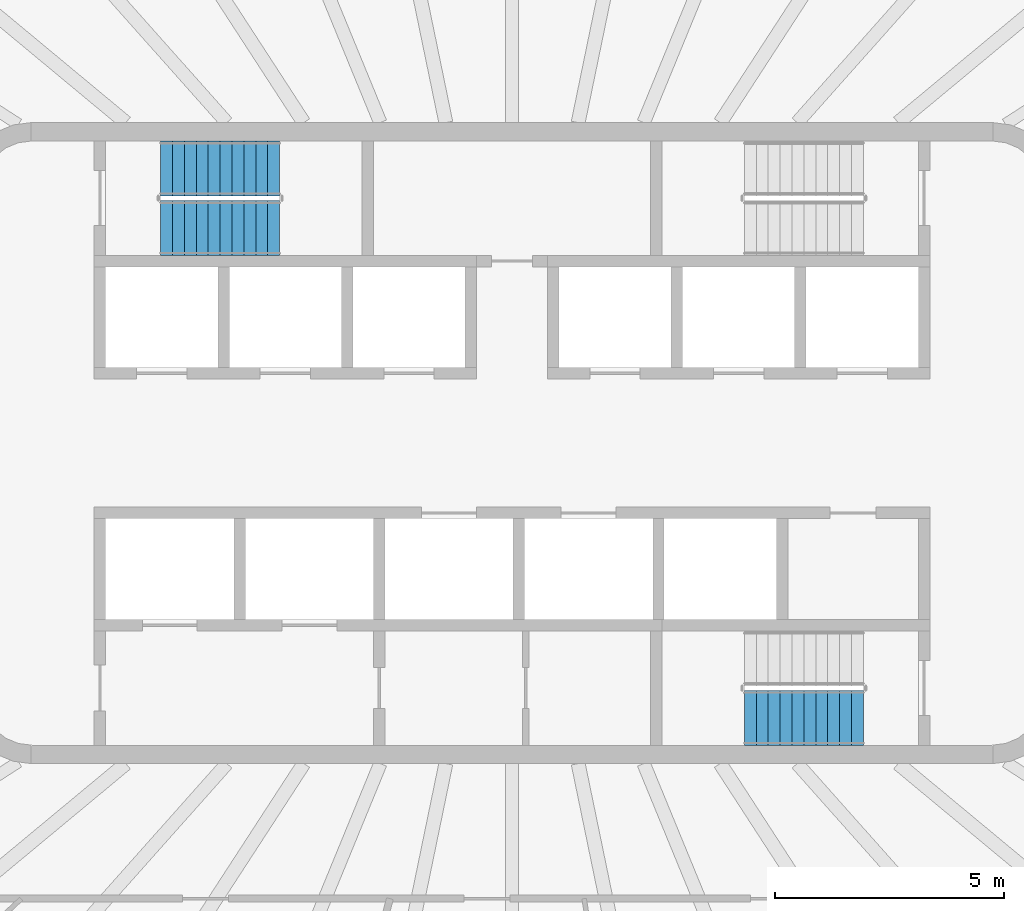
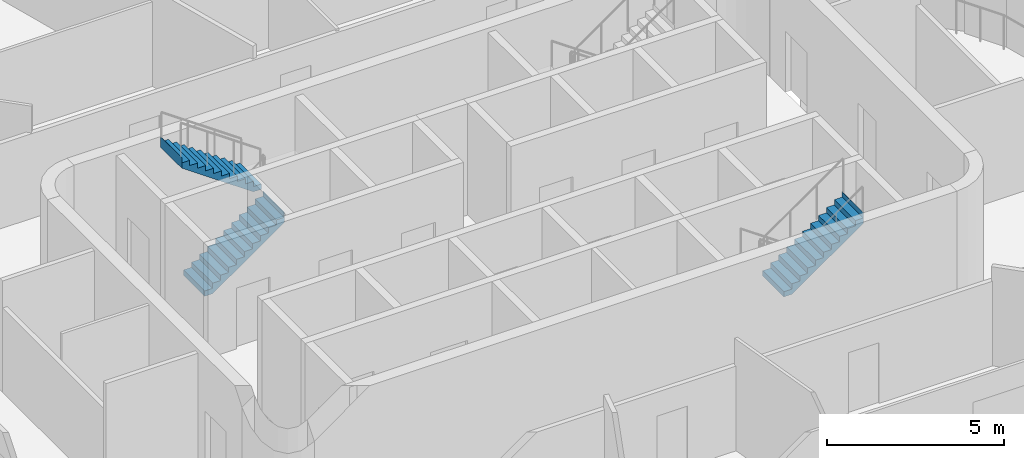
# One storey, part 12 of 19: 3 stair flights, 2 elements without a shape of their own.
"""IFC4 building model written with IfcOpenShell, lengths in metres."""

from ifc_helpers import new_model, si_unit, direction, frame, origin, place, context, subcontext, project, spatial, triangles, material, type_object, element, aggregate, save


model = new_model("IFC4")

# Units and contexts
model_context = context("Model", 3, precision=1e-05, world=origin(), true_north=direction((0.0, 1.0)))
body_context = subcontext(model_context, "Body", "Model", "MODEL_VIEW")
ifc_project = project(units=[si_unit("LENGTHUNIT", "METRE"), si_unit("AREAUNIT", "SQUARE_METRE"), si_unit("VOLUMEUNIT", "CUBIC_METRE"), si_unit("PLANEANGLEUNIT", "RADIAN"), si_unit("MASSUNIT", "GRAM", prefix="KILO")], contexts=[model_context])

# Site, building, storey
site_placement = place(None, origin())
site = spatial("IfcSite", under=ifc_project, at=site_placement, CompositionType="ELEMENT")
building_placement = place(site_placement, origin())
building = spatial("IfcBuilding", under=site, at=building_placement, Name="Sahrelin Media Tower", CompositionType="ELEMENT")
storey_placement = place(building_placement, frame((0.0, 0.0, 287.0)))
storey = spatial("IfcBuildingStorey", under=building, at=storey_placement, Name="L63", CompositionType="ELEMENT", Elevation=287.0)

# Stair, stair flights
ifc_material = material(Name="Concrete C40/50", Category="concrete")
stair_type = type_object("IfcStairType", Name="Exit stair 1200", PredefinedType="HALF_TURN_STAIR", material=ifc_material)
placement = place(storey_placement, origin())
stair_1 = element("IfcStair", 1, at=placement, inside=storey, type_object=stair_type, Name="L63 Exit stair ST1", PredefinedType="HALF_TURN_STAIR")
stair_flight_type = type_object("IfcStairFlightType", Name="Stair flight 1200", PredefinedType="STRAIGHT", material=ifc_material)
stair_flight_1_placement = place(storey_placement, frame((-7.675048828125, 4.699951171875, 0.0), z_axis=(0.0, 0.0, 1.0), x_axis=(1.0, 0.0, 0.0)))
stair_flight_1 = element("IfcStairFlight", 2, at=stair_flight_1_placement, type_object=stair_flight_type, Name="ST1 flight 1", NumberOfRisers=11, NumberOfTreads=10, PredefinedType="STRAIGHT", RiserHeight=0.181818182, TreadLength=0.26, context=body_context, shape_type="Tessellation", body=[
    triangles([(0.261474609375, 0.60009765625, 0.0), (0.261474609375, 0.300048828125, 0.0), (0.261474609375, 0.0, 0.0), (0.261474609375, -0.300048828125, 0.0), (0.261474609375, -0.60009765625, 0.0), (2.60009765625, 0.60009765625, 1.63525390625), (2.60009765625, 0.300048828125, 1.63525390625), (2.60009765625, 0.0, 1.63525390625), (2.60009765625, -0.300048828125, 1.63525390625), (2.60009765625, -0.60009765625, 1.63525390625), (2.60009765625, 0.60009765625, 2.0), (2.60009765625, 0.300048828125, 2.0), (2.60009765625, 0.0, 2.0), (2.60009765625, -0.300048828125, 2.0), (2.60009765625, -0.60009765625, 2.0), (2.597900390625, 0.60009765625, 2.0), (2.597900390625, 0.300048828125, 2.0), (2.597900390625, 0.0, 2.0), (2.597900390625, -0.300048828125, 2.0), (2.597900390625, -0.60009765625, 2.0), (2.597900390625, 0.60009765625, 1.818115234375), (2.597900390625, 0.300048828125, 1.818115234375), (2.597900390625, 0.0, 1.818115234375), (2.597900390625, -0.300048828125, 1.818115234375), (2.597900390625, -0.60009765625, 1.818115234375), (2.340087890625, 0.60009765625, 1.818115234375), (2.340087890625, 0.300048828125, 1.818115234375), (2.340087890625, 0.0, 1.818115234375), (2.340087890625, -0.300048828125, 1.818115234375), (2.340087890625, -0.60009765625, 1.818115234375), (2.340087890625, 0.60009765625, 1.636474609375), (2.340087890625, 0.300048828125, 1.636474609375), (2.340087890625, 0.0, 1.636474609375), (2.340087890625, -0.300048828125, 1.636474609375), (2.340087890625, -0.60009765625, 1.636474609375), (2.080078125, 0.60009765625, 1.636474609375), (2.080078125, 0.300048828125, 1.636474609375), (2.080078125, 0.0, 1.636474609375), (2.080078125, -0.300048828125, 1.636474609375), (2.080078125, -0.60009765625, 1.636474609375), (2.080078125, 0.60009765625, 1.45458984375), (2.080078125, 0.300048828125, 1.45458984375), (2.080078125, 0.0, 1.45458984375), (2.080078125, -0.300048828125, 1.45458984375), (2.080078125, -0.60009765625, 1.45458984375), (1.820068359375, 0.60009765625, 1.45458984375), (1.820068359375, 0.300048828125, 1.45458984375), (1.820068359375, 0.0, 1.45458984375), (1.820068359375, -0.300048828125, 1.45458984375), (1.820068359375, -0.60009765625, 1.45458984375), (1.820068359375, 0.60009765625, 1.272705078125), (1.820068359375, 0.300048828125, 1.272705078125), (1.820068359375, 0.0, 1.272705078125), (1.820068359375, -0.300048828125, 1.272705078125), (1.820068359375, -0.60009765625, 1.272705078125), (1.56005859375, 0.60009765625, 1.272705078125), (1.56005859375, 0.300048828125, 1.272705078125), (1.56005859375, 0.0, 1.272705078125), (1.56005859375, -0.300048828125, 1.272705078125), (1.56005859375, -0.60009765625, 1.272705078125), (1.56005859375, 0.60009765625, 1.0908203125), (1.56005859375, 0.300048828125, 1.0908203125), (1.56005859375, 0.0, 1.0908203125), (1.56005859375, -0.300048828125, 1.0908203125), (1.56005859375, -0.60009765625, 1.0908203125), (1.300048828125, 0.60009765625, 1.0908203125), (1.300048828125, 0.300048828125, 1.0908203125), (1.300048828125, 0.0, 1.0908203125), (1.300048828125, -0.300048828125, 1.0908203125), (1.300048828125, -0.60009765625, 1.0908203125), (1.300048828125, 0.60009765625, 0.9091796875), (1.300048828125, 0.300048828125, 0.9091796875), (1.300048828125, 0.0, 0.9091796875), (1.300048828125, -0.300048828125, 0.9091796875), (1.300048828125, -0.60009765625, 0.9091796875), (1.0400390625, 0.60009765625, 0.9091796875), (1.0400390625, 0.300048828125, 0.9091796875), (1.0400390625, 0.0, 0.9091796875), (1.0400390625, -0.300048828125, 0.9091796875), (1.0400390625, -0.60009765625, 0.9091796875), (1.0400390625, 0.60009765625, 0.727294921875), (1.0400390625, 0.300048828125, 0.727294921875), (1.0400390625, 0.0, 0.727294921875), (1.0400390625, -0.300048828125, 0.727294921875), (1.0400390625, -0.60009765625, 0.727294921875), (0.780029296875, 0.60009765625, 0.727294921875), (0.780029296875, 0.300048828125, 0.727294921875), (0.780029296875, 0.0, 0.727294921875), (0.780029296875, -0.300048828125, 0.727294921875), (0.780029296875, -0.60009765625, 0.727294921875), (0.780029296875, 0.60009765625, 0.54541015625), (0.780029296875, 0.300048828125, 0.54541015625), (0.780029296875, 0.0, 0.54541015625), (0.780029296875, -0.300048828125, 0.54541015625), (0.780029296875, -0.60009765625, 0.54541015625), (0.52001953125, 0.60009765625, 0.54541015625), (0.52001953125, 0.300048828125, 0.54541015625), (0.52001953125, 0.0, 0.54541015625), (0.52001953125, -0.300048828125, 0.54541015625), (0.52001953125, -0.60009765625, 0.54541015625), (0.52001953125, 0.60009765625, 0.363525390625), (0.52001953125, 0.300048828125, 0.363525390625), (0.52001953125, 0.0, 0.363525390625), (0.52001953125, -0.300048828125, 0.363525390625), (0.52001953125, -0.60009765625, 0.363525390625), (0.260009765625, 0.60009765625, 0.363525390625), (0.260009765625, 0.300048828125, 0.363525390625), (0.260009765625, 0.0, 0.363525390625), (0.260009765625, -0.300048828125, 0.363525390625), (0.260009765625, -0.60009765625, 0.363525390625), (0.260009765625, 0.60009765625, 0.181884765625), (0.260009765625, 0.300048828125, 0.181884765625), (0.260009765625, 0.0, 0.181884765625), (0.260009765625, -0.300048828125, 0.181884765625), (0.260009765625, -0.60009765625, 0.181884765625), (0.0, 0.60009765625, 0.181884765625), (0.0, 0.300048828125, 0.181884765625), (0.0, 0.0, 0.181884765625), (0.0, -0.300048828125, 0.181884765625), (0.0, -0.60009765625, 0.181884765625), (0.0, 0.60009765625, 0.0), (0.0, 0.300048828125, 0.0), (0.0, 0.0, 0.0), (0.0, -0.300048828125, 0.0), (0.0, -0.60009765625, 0.0)], [[1, 6, 7], [1, 7, 2], [2, 7, 8], [2, 8, 3], [3, 8, 9], [3, 9, 4], [4, 9, 10], [4, 10, 5], [6, 11, 12], [6, 12, 7], [7, 12, 13], [7, 13, 8], [8, 13, 14], [8, 14, 9], [9, 14, 15], [9, 15, 10], [11, 16, 17], [11, 17, 12], [12, 17, 18], [12, 18, 13], [13, 18, 19], [13, 19, 14], [14, 19, 20], [14, 20, 15], [16, 21, 22], [16, 22, 17], [17, 22, 23], [17, 23, 18], [18, 23, 24], [18, 24, 19], [19, 24, 25], [19, 25, 20], [21, 26, 27], [21, 27, 22], [22, 27, 28], [22, 28, 23], [23, 28, 29], [23, 29, 24], [24, 29, 30], [24, 30, 25], [26, 31, 32], [26, 32, 27], [27, 32, 33], [27, 33, 28], [28, 33, 34], [28, 34, 29], [29, 34, 35], [29, 35, 30], [31, 36, 37], [31, 37, 32], [32, 37, 38], [32, 38, 33], [33, 38, 39], [33, 39, 34], [34, 39, 40], [34, 40, 35], [36, 41, 42], [36, 42, 37], [37, 42, 43], [37, 43, 38], [38, 43, 44], [38, 44, 39], [39, 44, 45], [39, 45, 40], [41, 46, 47], [41, 47, 42], [42, 47, 48], [42, 48, 43], [43, 48, 49], [43, 49, 44], [44, 49, 50], [44, 50, 45], [46, 51, 52], [46, 52, 47], [47, 52, 53], [47, 53, 48], [48, 53, 54], [48, 54, 49], [49, 54, 55], [49, 55, 50], [51, 56, 57], [51, 57, 52], [52, 57, 58], [52, 58, 53], [53, 58, 59], [53, 59, 54], [54, 59, 60], [54, 60, 55], [56, 61, 62], [56, 62, 57], [57, 62, 63], [57, 63, 58], [58, 63, 64], [58, 64, 59], [59, 64, 65], [59, 65, 60], [61, 66, 67], [61, 67, 62], [62, 67, 68], [62, 68, 63], [63, 68, 69], [63, 69, 64], [64, 69, 70], [64, 70, 65], [66, 71, 72], [66, 72, 67], [67, 72, 73], [67, 73, 68], [68, 73, 74], [68, 74, 69], [69, 74, 75], [69, 75, 70], [71, 76, 77], [71, 77, 72], [72, 77, 78], [72, 78, 73], [73, 78, 79], [73, 79, 74], [74, 79, 80], [74, 80, 75], [76, 81, 82], [76, 82, 77], [77, 82, 83], [77, 83, 78], [78, 83, 84], [78, 84, 79], [79, 84, 85], [79, 85, 80], [81, 86, 87], [81, 87, 82], [82, 87, 88], [82, 88, 83], [83, 88, 89], [83, 89, 84], [84, 89, 90], [84, 90, 85], [86, 91, 92], [86, 92, 87], [87, 92, 93], [87, 93, 88], [88, 93, 94], [88, 94, 89], [89, 94, 95], [89, 95, 90], [91, 96, 97], [91, 97, 92], [92, 97, 98], [92, 98, 93], [93, 98, 99], [93, 99, 94], [94, 99, 100], [94, 100, 95], [96, 101, 102], [96, 102, 97], [97, 102, 103], [97, 103, 98], [98, 103, 104], [98, 104, 99], [99, 104, 105], [99, 105, 100], [101, 106, 107], [101, 107, 102], [102, 107, 108], [102, 108, 103], [103, 108, 109], [103, 109, 104], [104, 109, 110], [104, 110, 105], [106, 111, 112], [106, 112, 107], [107, 112, 113], [107, 113, 108], [108, 113, 114], [108, 114, 109], [109, 114, 115], [109, 115, 110], [111, 116, 117], [111, 117, 112], [112, 117, 118], [112, 118, 113], [113, 118, 119], [113, 119, 114], [114, 119, 120], [114, 120, 115], [116, 121, 122], [116, 122, 117], [117, 122, 123], [117, 123, 118], [118, 123, 124], [118, 124, 119], [119, 124, 125], [119, 125, 120], [121, 1, 2], [121, 2, 122], [122, 2, 3], [122, 3, 123], [123, 3, 4], [123, 4, 124], [124, 4, 5], [124, 5, 125], [115, 120, 125], [111, 121, 116], [115, 105, 110], [111, 106, 101], [105, 95, 100], [101, 96, 91], [95, 85, 90], [91, 86, 81], [85, 75, 80], [81, 76, 71], [75, 65, 70], [71, 66, 61], [65, 55, 60], [61, 56, 51], [55, 45, 50], [51, 46, 41], [45, 35, 40], [41, 36, 31], [35, 25, 30], [31, 26, 21], [25, 15, 20], [21, 16, 11], [125, 5, 115], [121, 111, 1], [25, 10, 15], [21, 11, 6], [105, 115, 5], [101, 1, 111], [35, 10, 25], [31, 21, 6], [95, 105, 5], [91, 1, 101], [45, 10, 35], [41, 31, 6], [85, 95, 5], [81, 1, 91], [55, 10, 45], [51, 41, 6], [75, 85, 5], [71, 1, 81], [65, 10, 55], [61, 51, 6], [5, 10, 75], [1, 71, 6], [75, 10, 65], [71, 61, 6]], closed=True),
])
stair_flight_2_placement = place(storey_placement, frame((-5.074951171875, 6.0, 2.0), z_axis=(0.0, 0.0, 1.0), x_axis=(-1.0, 0.0, 0.0)))
stair_flight_2 = element("IfcStairFlight", 3, at=stair_flight_2_placement, type_object=stair_flight_type, Name="ST1 flight 2", NumberOfRisers=11, NumberOfTreads=10, PredefinedType="STRAIGHT", RiserHeight=0.181818182, TreadLength=0.26, context=body_context, shape_type="Tessellation", body=[
    triangles([(0.261474609375, 0.60009765625, 0.0), (0.261474609375, 0.300048828125, 0.0), (0.261474609375, 0.0, 0.0), (0.261474609375, -0.300048828125, 0.0), (0.261474609375, -0.60009765625, 0.0), (2.60009765625, 0.60009765625, 1.63525390625), (2.60009765625, 0.300048828125, 1.63525390625), (2.60009765625, 0.0, 1.63525390625), (2.60009765625, -0.300048828125, 1.63525390625), (2.60009765625, -0.60009765625, 1.63525390625), (2.60009765625, 0.60009765625, 2.0), (2.60009765625, 0.300048828125, 2.0), (2.60009765625, 0.0, 2.0), (2.60009765625, -0.300048828125, 2.0), (2.60009765625, -0.60009765625, 2.0), (2.597900390625, 0.60009765625, 2.0), (2.597900390625, 0.300048828125, 2.0), (2.597900390625, 0.0, 2.0), (2.597900390625, -0.300048828125, 2.0), (2.597900390625, -0.60009765625, 2.0), (2.597900390625, 0.60009765625, 1.818115234375), (2.597900390625, 0.300048828125, 1.818115234375), (2.597900390625, 0.0, 1.818115234375), (2.597900390625, -0.300048828125, 1.818115234375), (2.597900390625, -0.60009765625, 1.818115234375), (2.340087890625, 0.60009765625, 1.818115234375), (2.340087890625, 0.300048828125, 1.818115234375), (2.340087890625, 0.0, 1.818115234375), (2.340087890625, -0.300048828125, 1.818115234375), (2.340087890625, -0.60009765625, 1.818115234375), (2.340087890625, 0.60009765625, 1.636474609375), (2.340087890625, 0.300048828125, 1.636474609375), (2.340087890625, 0.0, 1.636474609375), (2.340087890625, -0.300048828125, 1.636474609375), (2.340087890625, -0.60009765625, 1.636474609375), (2.080078125, 0.60009765625, 1.636474609375), (2.080078125, 0.300048828125, 1.636474609375), (2.080078125, 0.0, 1.636474609375), (2.080078125, -0.300048828125, 1.636474609375), (2.080078125, -0.60009765625, 1.636474609375), (2.080078125, 0.60009765625, 1.45458984375), (2.080078125, 0.300048828125, 1.45458984375), (2.080078125, 0.0, 1.45458984375), (2.080078125, -0.300048828125, 1.45458984375), (2.080078125, -0.60009765625, 1.45458984375), (1.820068359375, 0.60009765625, 1.45458984375), (1.820068359375, 0.300048828125, 1.45458984375), (1.820068359375, 0.0, 1.45458984375), (1.820068359375, -0.300048828125, 1.45458984375), (1.820068359375, -0.60009765625, 1.45458984375), (1.820068359375, 0.60009765625, 1.272705078125), (1.820068359375, 0.300048828125, 1.272705078125), (1.820068359375, 0.0, 1.272705078125), (1.820068359375, -0.300048828125, 1.272705078125), (1.820068359375, -0.60009765625, 1.272705078125), (1.56005859375, 0.60009765625, 1.272705078125), (1.56005859375, 0.300048828125, 1.272705078125), (1.56005859375, 0.0, 1.272705078125), (1.56005859375, -0.300048828125, 1.272705078125), (1.56005859375, -0.60009765625, 1.272705078125), (1.56005859375, 0.60009765625, 1.0908203125), (1.56005859375, 0.300048828125, 1.0908203125), (1.56005859375, 0.0, 1.0908203125), (1.56005859375, -0.300048828125, 1.0908203125), (1.56005859375, -0.60009765625, 1.0908203125), (1.300048828125, 0.60009765625, 1.0908203125), (1.300048828125, 0.300048828125, 1.0908203125), (1.300048828125, 0.0, 1.0908203125), (1.300048828125, -0.300048828125, 1.0908203125), (1.300048828125, -0.60009765625, 1.0908203125), (1.300048828125, 0.60009765625, 0.9091796875), (1.300048828125, 0.300048828125, 0.9091796875), (1.300048828125, 0.0, 0.9091796875), (1.300048828125, -0.300048828125, 0.9091796875), (1.300048828125, -0.60009765625, 0.9091796875), (1.0400390625, 0.60009765625, 0.9091796875), (1.0400390625, 0.300048828125, 0.9091796875), (1.0400390625, 0.0, 0.9091796875), (1.0400390625, -0.300048828125, 0.9091796875), (1.0400390625, -0.60009765625, 0.9091796875), (1.0400390625, 0.60009765625, 0.727294921875), (1.0400390625, 0.300048828125, 0.727294921875), (1.0400390625, 0.0, 0.727294921875), (1.0400390625, -0.300048828125, 0.727294921875), (1.0400390625, -0.60009765625, 0.727294921875), (0.780029296875, 0.60009765625, 0.727294921875), (0.780029296875, 0.300048828125, 0.727294921875), (0.780029296875, 0.0, 0.727294921875), (0.780029296875, -0.300048828125, 0.727294921875), (0.780029296875, -0.60009765625, 0.727294921875), (0.780029296875, 0.60009765625, 0.54541015625), (0.780029296875, 0.300048828125, 0.54541015625), (0.780029296875, 0.0, 0.54541015625), (0.780029296875, -0.300048828125, 0.54541015625), (0.780029296875, -0.60009765625, 0.54541015625), (0.52001953125, 0.60009765625, 0.54541015625), (0.52001953125, 0.300048828125, 0.54541015625), (0.52001953125, 0.0, 0.54541015625), (0.52001953125, -0.300048828125, 0.54541015625), (0.52001953125, -0.60009765625, 0.54541015625), (0.52001953125, 0.60009765625, 0.363525390625), (0.52001953125, 0.300048828125, 0.363525390625), (0.52001953125, 0.0, 0.363525390625), (0.52001953125, -0.300048828125, 0.363525390625), (0.52001953125, -0.60009765625, 0.363525390625), (0.260009765625, 0.60009765625, 0.363525390625), (0.260009765625, 0.300048828125, 0.363525390625), (0.260009765625, 0.0, 0.363525390625), (0.260009765625, -0.300048828125, 0.363525390625), (0.260009765625, -0.60009765625, 0.363525390625), (0.260009765625, 0.60009765625, 0.181884765625), (0.260009765625, 0.300048828125, 0.181884765625), (0.260009765625, 0.0, 0.181884765625), (0.260009765625, -0.300048828125, 0.181884765625), (0.260009765625, -0.60009765625, 0.181884765625), (0.0, 0.60009765625, 0.181884765625), (0.0, 0.300048828125, 0.181884765625), (0.0, 0.0, 0.181884765625), (0.0, -0.300048828125, 0.181884765625), (0.0, -0.60009765625, 0.181884765625), (0.0, 0.60009765625, 0.0), (0.0, 0.300048828125, 0.0), (0.0, 0.0, 0.0), (0.0, -0.300048828125, 0.0), (0.0, -0.60009765625, 0.0)], [[1, 6, 7], [1, 7, 2], [2, 7, 8], [2, 8, 3], [3, 8, 9], [3, 9, 4], [4, 9, 10], [4, 10, 5], [6, 11, 12], [6, 12, 7], [7, 12, 13], [7, 13, 8], [8, 13, 14], [8, 14, 9], [9, 14, 15], [9, 15, 10], [11, 16, 17], [11, 17, 12], [12, 17, 18], [12, 18, 13], [13, 18, 19], [13, 19, 14], [14, 19, 20], [14, 20, 15], [16, 21, 22], [16, 22, 17], [17, 22, 23], [17, 23, 18], [18, 23, 24], [18, 24, 19], [19, 24, 25], [19, 25, 20], [21, 26, 27], [21, 27, 22], [22, 27, 28], [22, 28, 23], [23, 28, 29], [23, 29, 24], [24, 29, 30], [24, 30, 25], [26, 31, 32], [26, 32, 27], [27, 32, 33], [27, 33, 28], [28, 33, 34], [28, 34, 29], [29, 34, 35], [29, 35, 30], [31, 36, 37], [31, 37, 32], [32, 37, 38], [32, 38, 33], [33, 38, 39], [33, 39, 34], [34, 39, 40], [34, 40, 35], [36, 41, 42], [36, 42, 37], [37, 42, 43], [37, 43, 38], [38, 43, 44], [38, 44, 39], [39, 44, 45], [39, 45, 40], [41, 46, 47], [41, 47, 42], [42, 47, 48], [42, 48, 43], [43, 48, 49], [43, 49, 44], [44, 49, 50], [44, 50, 45], [46, 51, 52], [46, 52, 47], [47, 52, 53], [47, 53, 48], [48, 53, 54], [48, 54, 49], [49, 54, 55], [49, 55, 50], [51, 56, 57], [51, 57, 52], [52, 57, 58], [52, 58, 53], [53, 58, 59], [53, 59, 54], [54, 59, 60], [54, 60, 55], [56, 61, 62], [56, 62, 57], [57, 62, 63], [57, 63, 58], [58, 63, 64], [58, 64, 59], [59, 64, 65], [59, 65, 60], [61, 66, 67], [61, 67, 62], [62, 67, 68], [62, 68, 63], [63, 68, 69], [63, 69, 64], [64, 69, 70], [64, 70, 65], [66, 71, 72], [66, 72, 67], [67, 72, 73], [67, 73, 68], [68, 73, 74], [68, 74, 69], [69, 74, 75], [69, 75, 70], [71, 76, 77], [71, 77, 72], [72, 77, 78], [72, 78, 73], [73, 78, 79], [73, 79, 74], [74, 79, 80], [74, 80, 75], [76, 81, 82], [76, 82, 77], [77, 82, 83], [77, 83, 78], [78, 83, 84], [78, 84, 79], [79, 84, 85], [79, 85, 80], [81, 86, 87], [81, 87, 82], [82, 87, 88], [82, 88, 83], [83, 88, 89], [83, 89, 84], [84, 89, 90], [84, 90, 85], [86, 91, 92], [86, 92, 87], [87, 92, 93], [87, 93, 88], [88, 93, 94], [88, 94, 89], [89, 94, 95], [89, 95, 90], [91, 96, 97], [91, 97, 92], [92, 97, 98], [92, 98, 93], [93, 98, 99], [93, 99, 94], [94, 99, 100], [94, 100, 95], [96, 101, 102], [96, 102, 97], [97, 102, 103], [97, 103, 98], [98, 103, 104], [98, 104, 99], [99, 104, 105], [99, 105, 100], [101, 106, 107], [101, 107, 102], [102, 107, 108], [102, 108, 103], [103, 108, 109], [103, 109, 104], [104, 109, 110], [104, 110, 105], [106, 111, 112], [106, 112, 107], [107, 112, 113], [107, 113, 108], [108, 113, 114], [108, 114, 109], [109, 114, 115], [109, 115, 110], [111, 116, 117], [111, 117, 112], [112, 117, 118], [112, 118, 113], [113, 118, 119], [113, 119, 114], [114, 119, 120], [114, 120, 115], [116, 121, 122], [116, 122, 117], [117, 122, 123], [117, 123, 118], [118, 123, 124], [118, 124, 119], [119, 124, 125], [119, 125, 120], [121, 1, 2], [121, 2, 122], [122, 2, 3], [122, 3, 123], [123, 3, 4], [123, 4, 124], [124, 4, 5], [124, 5, 125], [115, 120, 125], [111, 121, 116], [115, 105, 110], [111, 106, 101], [105, 95, 100], [101, 96, 91], [95, 85, 90], [91, 86, 81], [85, 75, 80], [81, 76, 71], [75, 65, 70], [71, 66, 61], [65, 55, 60], [61, 56, 51], [55, 45, 50], [51, 46, 41], [45, 35, 40], [41, 36, 31], [35, 25, 30], [31, 26, 21], [25, 15, 20], [21, 16, 11], [125, 5, 115], [121, 111, 1], [25, 10, 15], [21, 11, 6], [105, 115, 5], [101, 1, 111], [35, 10, 25], [31, 21, 6], [95, 105, 5], [91, 1, 101], [45, 10, 35], [41, 31, 6], [85, 95, 5], [81, 1, 91], [55, 10, 45], [51, 41, 6], [75, 85, 5], [71, 1, 81], [65, 10, 55], [61, 51, 6], [5, 10, 75], [1, 71, 6], [75, 10, 65], [71, 61, 6]], closed=True),
])
aggregate(stair_1, [stair_flight_1, stair_flight_2])

# Stair, stair flight
stair_2 = element("IfcStair", 4, at=placement, inside=storey, type_object=stair_type, Name="L63 Exit stair ST2", PredefinedType="HALF_TURN_STAIR")
stair_flight_3_placement = place(storey_placement, frame((5.074951171875, -6.0, 2.0), z_axis=(0.0, 0.0, 1.0), x_axis=(1.0, 0.0, 0.0)))
stair_flight_3 = element("IfcStairFlight", 5, at=stair_flight_3_placement, type_object=stair_flight_type, Name="ST2 flight 2", NumberOfRisers=11, NumberOfTreads=10, PredefinedType="STRAIGHT", RiserHeight=0.181818182, TreadLength=0.26, context=body_context, shape_type="Tessellation", body=[
    triangles([(0.261474609375, 0.60009765625, 0.0), (0.261474609375, 0.300048828125, 0.0), (0.261474609375, 0.0, 0.0), (0.261474609375, -0.300048828125, 0.0), (0.261474609375, -0.60009765625, 0.0), (2.60009765625, 0.60009765625, 1.63525390625), (2.60009765625, 0.300048828125, 1.63525390625), (2.60009765625, 0.0, 1.63525390625), (2.60009765625, -0.300048828125, 1.63525390625), (2.60009765625, -0.60009765625, 1.63525390625), (2.60009765625, 0.60009765625, 2.0), (2.60009765625, 0.300048828125, 2.0), (2.60009765625, 0.0, 2.0), (2.60009765625, -0.300048828125, 2.0), (2.60009765625, -0.60009765625, 2.0), (2.597900390625, 0.60009765625, 2.0), (2.597900390625, 0.300048828125, 2.0), (2.597900390625, 0.0, 2.0), (2.597900390625, -0.300048828125, 2.0), (2.597900390625, -0.60009765625, 2.0), (2.597900390625, 0.60009765625, 1.818115234375), (2.597900390625, 0.300048828125, 1.818115234375), (2.597900390625, 0.0, 1.818115234375), (2.597900390625, -0.300048828125, 1.818115234375), (2.597900390625, -0.60009765625, 1.818115234375), (2.340087890625, 0.60009765625, 1.818115234375), (2.340087890625, 0.300048828125, 1.818115234375), (2.340087890625, 0.0, 1.818115234375), (2.340087890625, -0.300048828125, 1.818115234375), (2.340087890625, -0.60009765625, 1.818115234375), (2.340087890625, 0.60009765625, 1.636474609375), (2.340087890625, 0.300048828125, 1.636474609375), (2.340087890625, 0.0, 1.636474609375), (2.340087890625, -0.300048828125, 1.636474609375), (2.340087890625, -0.60009765625, 1.636474609375), (2.080078125, 0.60009765625, 1.636474609375), (2.080078125, 0.300048828125, 1.636474609375), (2.080078125, 0.0, 1.636474609375), (2.080078125, -0.300048828125, 1.636474609375), (2.080078125, -0.60009765625, 1.636474609375), (2.080078125, 0.60009765625, 1.45458984375), (2.080078125, 0.300048828125, 1.45458984375), (2.080078125, 0.0, 1.45458984375), (2.080078125, -0.300048828125, 1.45458984375), (2.080078125, -0.60009765625, 1.45458984375), (1.820068359375, 0.60009765625, 1.45458984375), (1.820068359375, 0.300048828125, 1.45458984375), (1.820068359375, 0.0, 1.45458984375), (1.820068359375, -0.300048828125, 1.45458984375), (1.820068359375, -0.60009765625, 1.45458984375), (1.820068359375, 0.60009765625, 1.272705078125), (1.820068359375, 0.300048828125, 1.272705078125), (1.820068359375, 0.0, 1.272705078125), (1.820068359375, -0.300048828125, 1.272705078125), (1.820068359375, -0.60009765625, 1.272705078125), (1.56005859375, 0.60009765625, 1.272705078125), (1.56005859375, 0.300048828125, 1.272705078125), (1.56005859375, 0.0, 1.272705078125), (1.56005859375, -0.300048828125, 1.272705078125), (1.56005859375, -0.60009765625, 1.272705078125), (1.56005859375, 0.60009765625, 1.0908203125), (1.56005859375, 0.300048828125, 1.0908203125), (1.56005859375, 0.0, 1.0908203125), (1.56005859375, -0.300048828125, 1.0908203125), (1.56005859375, -0.60009765625, 1.0908203125), (1.300048828125, 0.60009765625, 1.0908203125), (1.300048828125, 0.300048828125, 1.0908203125), (1.300048828125, 0.0, 1.0908203125), (1.300048828125, -0.300048828125, 1.0908203125), (1.300048828125, -0.60009765625, 1.0908203125), (1.300048828125, 0.60009765625, 0.9091796875), (1.300048828125, 0.300048828125, 0.9091796875), (1.300048828125, 0.0, 0.9091796875), (1.300048828125, -0.300048828125, 0.9091796875), (1.300048828125, -0.60009765625, 0.9091796875), (1.0400390625, 0.60009765625, 0.9091796875), (1.0400390625, 0.300048828125, 0.9091796875), (1.0400390625, 0.0, 0.9091796875), (1.0400390625, -0.300048828125, 0.9091796875), (1.0400390625, -0.60009765625, 0.9091796875), (1.0400390625, 0.60009765625, 0.727294921875), (1.0400390625, 0.300048828125, 0.727294921875), (1.0400390625, 0.0, 0.727294921875), (1.0400390625, -0.300048828125, 0.727294921875), (1.0400390625, -0.60009765625, 0.727294921875), (0.780029296875, 0.60009765625, 0.727294921875), (0.780029296875, 0.300048828125, 0.727294921875), (0.780029296875, 0.0, 0.727294921875), (0.780029296875, -0.300048828125, 0.727294921875), (0.780029296875, -0.60009765625, 0.727294921875), (0.780029296875, 0.60009765625, 0.54541015625), (0.780029296875, 0.300048828125, 0.54541015625), (0.780029296875, 0.0, 0.54541015625), (0.780029296875, -0.300048828125, 0.54541015625), (0.780029296875, -0.60009765625, 0.54541015625), (0.52001953125, 0.60009765625, 0.54541015625), (0.52001953125, 0.300048828125, 0.54541015625), (0.52001953125, 0.0, 0.54541015625), (0.52001953125, -0.300048828125, 0.54541015625), (0.52001953125, -0.60009765625, 0.54541015625), (0.52001953125, 0.60009765625, 0.363525390625), (0.52001953125, 0.300048828125, 0.363525390625), (0.52001953125, 0.0, 0.363525390625), (0.52001953125, -0.300048828125, 0.363525390625), (0.52001953125, -0.60009765625, 0.363525390625), (0.260009765625, 0.60009765625, 0.363525390625), (0.260009765625, 0.300048828125, 0.363525390625), (0.260009765625, 0.0, 0.363525390625), (0.260009765625, -0.300048828125, 0.363525390625), (0.260009765625, -0.60009765625, 0.363525390625), (0.260009765625, 0.60009765625, 0.181884765625), (0.260009765625, 0.300048828125, 0.181884765625), (0.260009765625, 0.0, 0.181884765625), (0.260009765625, -0.300048828125, 0.181884765625), (0.260009765625, -0.60009765625, 0.181884765625), (0.0, 0.60009765625, 0.181884765625), (0.0, 0.300048828125, 0.181884765625), (0.0, 0.0, 0.181884765625), (0.0, -0.300048828125, 0.181884765625), (0.0, -0.60009765625, 0.181884765625), (0.0, 0.60009765625, 0.0), (0.0, 0.300048828125, 0.0), (0.0, 0.0, 0.0), (0.0, -0.300048828125, 0.0), (0.0, -0.60009765625, 0.0)], [[1, 6, 7], [1, 7, 2], [2, 7, 8], [2, 8, 3], [3, 8, 9], [3, 9, 4], [4, 9, 10], [4, 10, 5], [6, 11, 12], [6, 12, 7], [7, 12, 13], [7, 13, 8], [8, 13, 14], [8, 14, 9], [9, 14, 15], [9, 15, 10], [11, 16, 17], [11, 17, 12], [12, 17, 18], [12, 18, 13], [13, 18, 19], [13, 19, 14], [14, 19, 20], [14, 20, 15], [16, 21, 22], [16, 22, 17], [17, 22, 23], [17, 23, 18], [18, 23, 24], [18, 24, 19], [19, 24, 25], [19, 25, 20], [21, 26, 27], [21, 27, 22], [22, 27, 28], [22, 28, 23], [23, 28, 29], [23, 29, 24], [24, 29, 30], [24, 30, 25], [26, 31, 32], [26, 32, 27], [27, 32, 33], [27, 33, 28], [28, 33, 34], [28, 34, 29], [29, 34, 35], [29, 35, 30], [31, 36, 37], [31, 37, 32], [32, 37, 38], [32, 38, 33], [33, 38, 39], [33, 39, 34], [34, 39, 40], [34, 40, 35], [36, 41, 42], [36, 42, 37], [37, 42, 43], [37, 43, 38], [38, 43, 44], [38, 44, 39], [39, 44, 45], [39, 45, 40], [41, 46, 47], [41, 47, 42], [42, 47, 48], [42, 48, 43], [43, 48, 49], [43, 49, 44], [44, 49, 50], [44, 50, 45], [46, 51, 52], [46, 52, 47], [47, 52, 53], [47, 53, 48], [48, 53, 54], [48, 54, 49], [49, 54, 55], [49, 55, 50], [51, 56, 57], [51, 57, 52], [52, 57, 58], [52, 58, 53], [53, 58, 59], [53, 59, 54], [54, 59, 60], [54, 60, 55], [56, 61, 62], [56, 62, 57], [57, 62, 63], [57, 63, 58], [58, 63, 64], [58, 64, 59], [59, 64, 65], [59, 65, 60], [61, 66, 67], [61, 67, 62], [62, 67, 68], [62, 68, 63], [63, 68, 69], [63, 69, 64], [64, 69, 70], [64, 70, 65], [66, 71, 72], [66, 72, 67], [67, 72, 73], [67, 73, 68], [68, 73, 74], [68, 74, 69], [69, 74, 75], [69, 75, 70], [71, 76, 77], [71, 77, 72], [72, 77, 78], [72, 78, 73], [73, 78, 79], [73, 79, 74], [74, 79, 80], [74, 80, 75], [76, 81, 82], [76, 82, 77], [77, 82, 83], [77, 83, 78], [78, 83, 84], [78, 84, 79], [79, 84, 85], [79, 85, 80], [81, 86, 87], [81, 87, 82], [82, 87, 88], [82, 88, 83], [83, 88, 89], [83, 89, 84], [84, 89, 90], [84, 90, 85], [86, 91, 92], [86, 92, 87], [87, 92, 93], [87, 93, 88], [88, 93, 94], [88, 94, 89], [89, 94, 95], [89, 95, 90], [91, 96, 97], [91, 97, 92], [92, 97, 98], [92, 98, 93], [93, 98, 99], [93, 99, 94], [94, 99, 100], [94, 100, 95], [96, 101, 102], [96, 102, 97], [97, 102, 103], [97, 103, 98], [98, 103, 104], [98, 104, 99], [99, 104, 105], [99, 105, 100], [101, 106, 107], [101, 107, 102], [102, 107, 108], [102, 108, 103], [103, 108, 109], [103, 109, 104], [104, 109, 110], [104, 110, 105], [106, 111, 112], [106, 112, 107], [107, 112, 113], [107, 113, 108], [108, 113, 114], [108, 114, 109], [109, 114, 115], [109, 115, 110], [111, 116, 117], [111, 117, 112], [112, 117, 118], [112, 118, 113], [113, 118, 119], [113, 119, 114], [114, 119, 120], [114, 120, 115], [116, 121, 122], [116, 122, 117], [117, 122, 123], [117, 123, 118], [118, 123, 124], [118, 124, 119], [119, 124, 125], [119, 125, 120], [121, 1, 2], [121, 2, 122], [122, 2, 3], [122, 3, 123], [123, 3, 4], [123, 4, 124], [124, 4, 5], [124, 5, 125], [115, 120, 125], [111, 121, 116], [115, 105, 110], [111, 106, 101], [105, 95, 100], [101, 96, 91], [95, 85, 90], [91, 86, 81], [85, 75, 80], [81, 76, 71], [75, 65, 70], [71, 66, 61], [65, 55, 60], [61, 56, 51], [55, 45, 50], [51, 46, 41], [45, 35, 40], [41, 36, 31], [35, 25, 30], [31, 26, 21], [25, 15, 20], [21, 16, 11], [125, 5, 115], [121, 111, 1], [25, 10, 15], [21, 11, 6], [105, 115, 5], [101, 1, 111], [35, 10, 25], [31, 21, 6], [95, 105, 5], [91, 1, 101], [45, 10, 35], [41, 31, 6], [85, 95, 5], [81, 1, 91], [55, 10, 45], [51, 41, 6], [75, 85, 5], [71, 1, 81], [65, 10, 55], [61, 51, 6], [5, 10, 75], [1, 71, 6], [75, 10, 65], [71, 61, 6]], closed=True),
])
aggregate(stair_2, [stair_flight_3])

save(model, "model.ifc")
